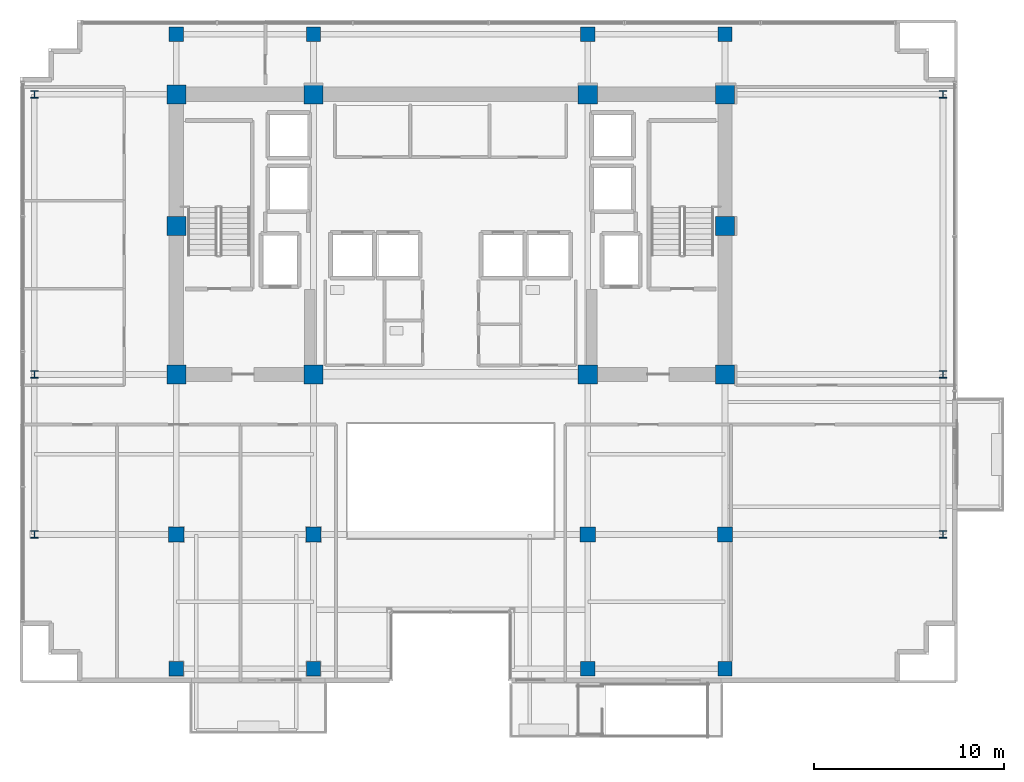
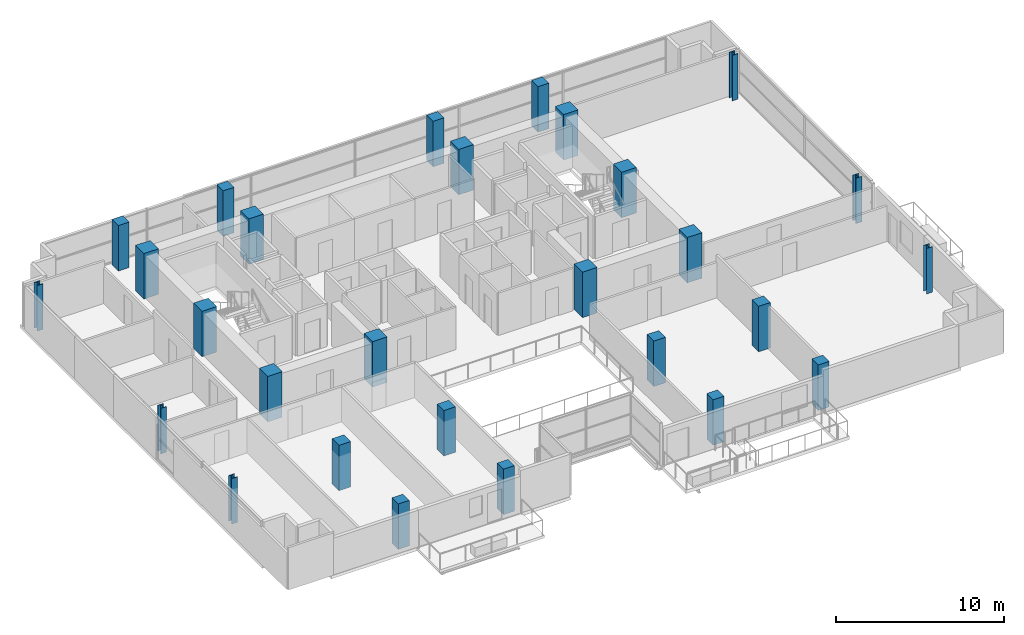
# One storey, part 1 of 23: 28 columns.
"""IFC4 building model written with IfcOpenShell, lengths in metres."""

from ifc_helpers import new_model, si_unit, direction, frame, origin, origin_2d, place, context, subcontext, project, spatial, rectangle, i_section, extrude, material, material_profile, profile_set, type_object, element, save


model = new_model("IFC4")

# Units and contexts
model_context = context("Model", 3, precision=1e-05, world=origin(), true_north=direction((0.0, 1.0)))
body_context = subcontext(model_context, "Body", "Model", "MODEL_VIEW")
ifc_project = project(units=[si_unit("LENGTHUNIT", "METRE"), si_unit("AREAUNIT", "SQUARE_METRE"), si_unit("VOLUMEUNIT", "CUBIC_METRE"), si_unit("PLANEANGLEUNIT", "RADIAN"), si_unit("MASSUNIT", "GRAM", prefix="KILO")], contexts=[model_context])

# Site, building, storey
site_placement = place(None, origin())
site = spatial("IfcSite", under=ifc_project, at=site_placement, CompositionType="ELEMENT")
building_placement = place(site_placement, origin())
building = spatial("IfcBuilding", under=site, at=building_placement, Name="Zarnakvel Exchange Tower", CompositionType="ELEMENT")
storey_placement = place(building_placement, frame((0.0, 0.0, 175.89990234375)))
storey = spatial("IfcBuildingStorey", under=building, at=storey_placement, Name="L49", CompositionType="ELEMENT", Elevation=175.89990234375)

# Columns
ifc_material_1 = material(Name="Concrete C60/75", Category="concrete")
ifc_material_profile_1 = material_profile(ifc_material_1, rectangle(XDim=1.0, YDim=1.0, at=origin_2d()))
ifc_profile_set_1 = profile_set([ifc_material_profile_1], Name="Concrete C60/75")
column_type_1 = type_object("IfcColumnType", Name="CC-02", PredefinedType="COLUMN", material=ifc_profile_set_1)
for number, where, z_axis, x_axis, name in (
    (1, (-14.39990234375, -1.199951171875, 0.0), (0.0, 0.0, 1.0), (1.0, 0.0, 0.0), "L49 Column C-4D (CC-02)"),
    (2, (-7.199951171875, -1.199951171875, 0.0), (0.0, 0.0, 1.0), (1.0, 0.0, 0.0), "L49 Column C-5D (CC-02)"),
    (3, (7.199951171875, -1.199951171875, 0.0), (0.0, 0.0, 1.0), (1.0, 0.0, 0.0), "L49 Column C-8D (CC-02)"),
    (4, (14.39990234375, -1.199951171875, 0.0), (0.0, 0.0, 1.0), (1.0, 0.0, 0.0), "L49 Column C-9D (CC-02)"),
    (5, (-14.39990234375, 6.60009765625, 0.0), (0.0, 0.0, 1.0), (1.0, 0.0, 0.0), "L49 Column C-4E (CC-02)"),
    (6, (14.39990234375, 6.60009765625, 0.0), (0.0, 0.0, 1.0), (1.0, 0.0, 0.0), "L49 Column C-9E (CC-02)"),
    (7, (-14.39990234375, 13.5, 0.0), (0.0, 0.0, 1.0), (1.0, 0.0, 0.0), "L49 Column C-4F (CC-02)"),
    (8, (-7.199951171875, 13.5, 0.0), (0.0, 0.0, 1.0), (1.0, 0.0, 0.0), "L49 Column C-5F (CC-02)"),
    (9, (7.199951171875, 13.5, 0.0), (0.0, 0.0, 1.0), (1.0, 0.0, 0.0), "L49 Column C-8F (CC-02)"),
    (10, (14.39990234375, 13.5, 0.0), (0.0, 0.0, 1.0), (1.0, 0.0, 0.0), "L49 Column C-9F (CC-02)"),
):
    element("IfcColumn", number, at=place(storey_placement, frame(where, z_axis=z_axis, x_axis=x_axis)), inside=storey, type_object=column_type_1, Name=name, PredefinedType="COLUMN", context=body_context, shape_type="SweptSolid", body=[
        extrude(rectangle(XDim=1.0, YDim=1.0, at=origin_2d()), origin(), (0.0, 0.0, 1.0), 3.300048828125),
    ])
ifc_material_2 = material(Name="Steel S355", Category="steel")
ifc_material_profile_2 = material_profile(ifc_material_2, i_section(OverallWidth=0.39892578125, OverallDepth=0.3935546875, WebThickness=0.022705078125, FlangeThickness=0.03662109375, FilletRadius=0.01513671875, at=origin_2d()))
ifc_profile_set_2 = profile_set([ifc_material_profile_2], Name="Steel S355")
column_type_2 = type_object("IfcColumnType", Name="SC-04", PredefinedType="COLUMN", material=ifc_profile_set_2)
for number, where, z_axis, x_axis, name in (
    (11, (-21.85009765625, -9.60009765625, 0.0), (0.0, 0.0, 1.0), (1.0, 0.0, 0.0), "L49 Column TW-C (SC-04)"),
    (12, (25.85009765625, -9.60009765625, 0.0), (0.0, 0.0, 1.0), (1.0, 0.0, 0.0), "L49 Column TE-C (SC-04)"),
    (13, (-21.85009765625, -1.199951171875, 0.0), (0.0, 0.0, 1.0), (1.0, 0.0, 0.0), "L49 Column TW-D (SC-04)"),
    (14, (25.85009765625, -1.199951171875, 0.0), (0.0, 0.0, 1.0), (1.0, 0.0, 0.0), "L49 Column TE-D (SC-04)"),
    (15, (-21.85009765625, 13.5, 0.0), (0.0, 0.0, 1.0), (1.0, 0.0, 0.0), "L49 Column TW-F (SC-04)"),
    (16, (25.85009765625, 13.5, 0.0), (0.0, 0.0, 1.0), (1.0, 0.0, 0.0), "L49 Column TE-F (SC-04)"),
):
    element("IfcColumn", number, at=place(storey_placement, frame(where, z_axis=z_axis, x_axis=x_axis)), inside=storey, type_object=column_type_2, Name=name, PredefinedType="COLUMN", context=body_context, shape_type="SweptSolid", body=[
        extrude(i_section(OverallWidth=0.39892578125, OverallDepth=0.3935546875, WebThickness=0.022705078125, FlangeThickness=0.03662109375, FilletRadius=0.01513671875, at=origin_2d()), origin(), (0.0, 0.0, 1.0), 3.300048828125),
    ])
ifc_material_profile_3 = material_profile(ifc_material_1, rectangle(XDim=0.800048828125, YDim=0.800048828125, at=origin_2d()))
ifc_profile_set_3 = profile_set([ifc_material_profile_3], Name="Concrete C60/75")
column_type_3 = type_object("IfcColumnType", Name="TC-03", PredefinedType="COLUMN", material=ifc_profile_set_3)
for number, where, z_axis, x_axis, name in (
    (17, (-14.39990234375, -9.60009765625, 0.0), (0.0, 0.0, 1.0), (1.0, 0.0, 0.0), "L49 Column T-4C (TC-03)"),
    (18, (-7.199951171875, -9.60009765625, 0.0), (0.0, 0.0, 1.0), (1.0, 0.0, 0.0), "L49 Column T-5C (TC-03)"),
    (19, (7.199951171875, -9.60009765625, 0.0), (0.0, 0.0, 1.0), (1.0, 0.0, 0.0), "L49 Column T-8C (TC-03)"),
    (20, (14.39990234375, -9.60009765625, 0.0), (0.0, 0.0, 1.0), (1.0, 0.0, 0.0), "L49 Column T-9C (TC-03)"),
):
    element("IfcColumn", number, at=place(storey_placement, frame(where, z_axis=z_axis, x_axis=x_axis)), inside=storey, type_object=column_type_3, Name=name, PredefinedType="COLUMN", context=body_context, shape_type="SweptSolid", body=[
        extrude(rectangle(XDim=0.800048828125, YDim=0.800048828125, at=origin_2d()), origin(), (0.0, 0.0, 1.0), 3.300048828125),
    ])
ifc_material_3 = material(Name="Concrete C50/60", Category="concrete")
ifc_material_profile_4 = material_profile(ifc_material_3, rectangle(XDim=0.75, YDim=0.75, at=origin_2d()))
ifc_profile_set_4 = profile_set([ifc_material_profile_4], Name="Concrete C50/60")
column_type_4 = type_object("IfcColumnType", Name="TC-04", PredefinedType="COLUMN", material=ifc_profile_set_4)
for number, where, z_axis, x_axis, name in (
    (21, (-14.39990234375, -16.64990234375, 0.0), (0.0, 0.0, 1.0), (1.0, 0.0, 0.0), "L49 Column TS-4 (TC-04)"),
    (22, (-14.39990234375, 16.64990234375, 0.0), (0.0, 0.0, 1.0), (1.0, 0.0, 0.0), "L49 Column TN-4 (TC-04)"),
    (23, (-7.199951171875, -16.64990234375, 0.0), (0.0, 0.0, 1.0), (1.0, 0.0, 0.0), "L49 Column TS-5 (TC-04)"),
    (24, (-7.199951171875, 16.64990234375, 0.0), (0.0, 0.0, 1.0), (1.0, 0.0, 0.0), "L49 Column TN-5 (TC-04)"),
    (25, (7.199951171875, -16.64990234375, 0.0), (0.0, 0.0, 1.0), (1.0, 0.0, 0.0), "L49 Column TS-8 (TC-04)"),
    (26, (7.199951171875, 16.64990234375, 0.0), (0.0, 0.0, 1.0), (1.0, 0.0, 0.0), "L49 Column TN-8 (TC-04)"),
    (27, (14.39990234375, -16.64990234375, 0.0), (0.0, 0.0, 1.0), (1.0, 0.0, 0.0), "L49 Column TS-9 (TC-04)"),
    (28, (14.39990234375, 16.64990234375, 0.0), (0.0, 0.0, 1.0), (1.0, 0.0, 0.0), "L49 Column TN-9 (TC-04)"),
):
    element("IfcColumn", number, at=place(storey_placement, frame(where, z_axis=z_axis, x_axis=x_axis)), inside=storey, type_object=column_type_4, Name=name, PredefinedType="COLUMN", context=body_context, shape_type="SweptSolid", body=[
        extrude(rectangle(XDim=0.75, YDim=0.75, at=origin_2d()), origin(), (0.0, 0.0, 1.0), 3.300048828125),
    ])

save(model, "model.ifc")
